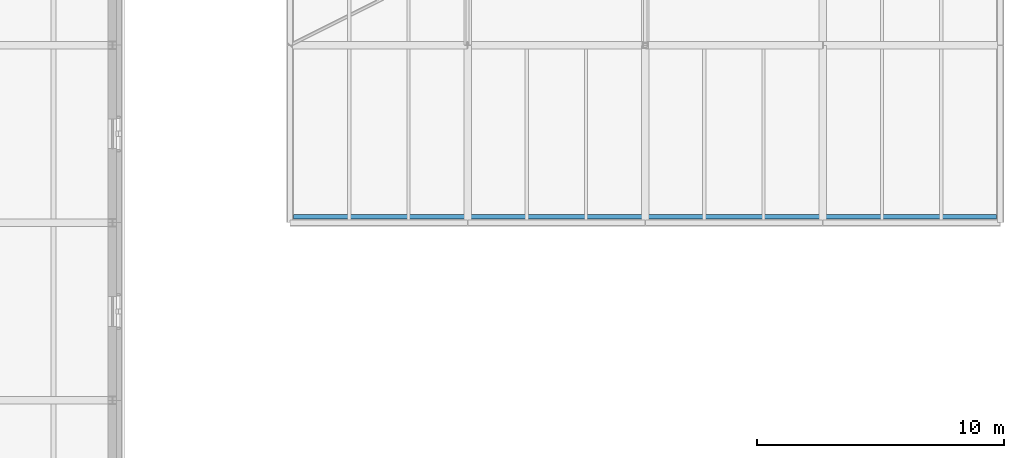
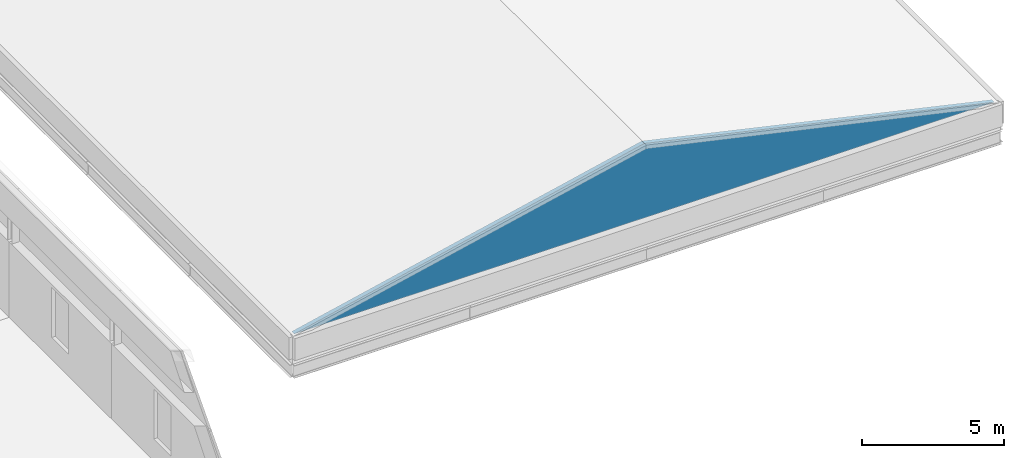
# One storey, part 15 of 44: 1 plate.
"""IFC4 building model written with IfcOpenShell, lengths in metres."""

from ifc_helpers import new_model, si_unit, direction, frame, origin, place, context, subcontext, project, spatial, polyline, outline, extrude, material, layer, layer_set, type_object, element, save


model = new_model("IFC4")

# Units and contexts
model_context = context("Model", 3, precision=1e-05, world=origin(), true_north=direction((0.0, 1.0)))
body_context = subcontext(model_context, "Body", "Model", "MODEL_VIEW")
ifc_project = project(units=[si_unit("LENGTHUNIT", "METRE"), si_unit("AREAUNIT", "SQUARE_METRE"), si_unit("VOLUMEUNIT", "CUBIC_METRE"), si_unit("PLANEANGLEUNIT", "RADIAN"), si_unit("MASSUNIT", "GRAM", prefix="KILO")], contexts=[model_context])

# Site, building, storey
site_placement = place(None, origin())
site = spatial("IfcSite", under=ifc_project, at=site_placement, CompositionType="ELEMENT")
building_placement = place(site_placement, origin())
building = spatial("IfcBuilding", under=site, at=building_placement, Name="Narikvali Park Central Library", CompositionType="ELEMENT")
storey_placement = place(building_placement, frame((0.0, 0.0, 22.800048828125)))
storey = spatial("IfcBuildingStorey", under=building, at=storey_placement, Name="L05", CompositionType="ELEMENT", Elevation=22.800048828125)

# Plate
ifc_material = material(Name="White Honed Limestone Cladding", Category="masonry")
ifc_layer = layer(ifc_material, 0.179931640625, Name="White Honed Limestone Cladding")
ifc_layer_set = layer_set([ifc_layer], Name="White Honed Limestone Cladding")
plate_type = type_object("IfcPlateType", Name="Classical Limestone Gable Tympanum 180", PredefinedType="SHEET", material=ifc_layer_set)
plate_placement = place(storey_placement, frame((28.949951171875, 57.75, 0.919921875), z_axis=(0.0, -1.0, 0.0), x_axis=(1.0, 0.0, 0.0)))
element("IfcPlate", 1, at=plate_placement, inside=storey, type_object=plate_type, Name="V4 L05 Classical Gable Pediment Tympanum S", PredefinedType="SHEET", context=body_context, shape_type="SweptSolid", body=[
    extrude(outline(polyline([(0.0, 0.0), (28.5, 0.0), (14.25, 3.2099609375), (0.0, 0.0)])), origin(), (0.0, 0.0, -1.0), 0.179931640625),
])

save(model, "model.ifc")
